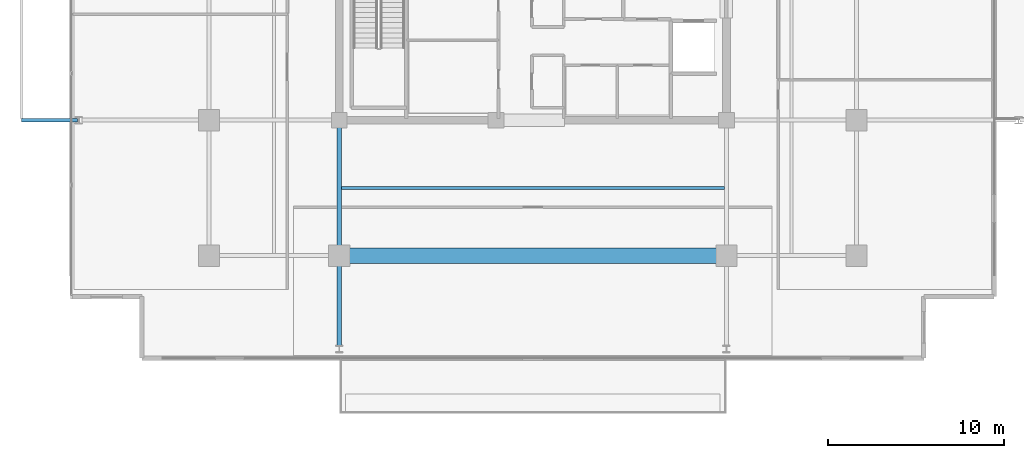
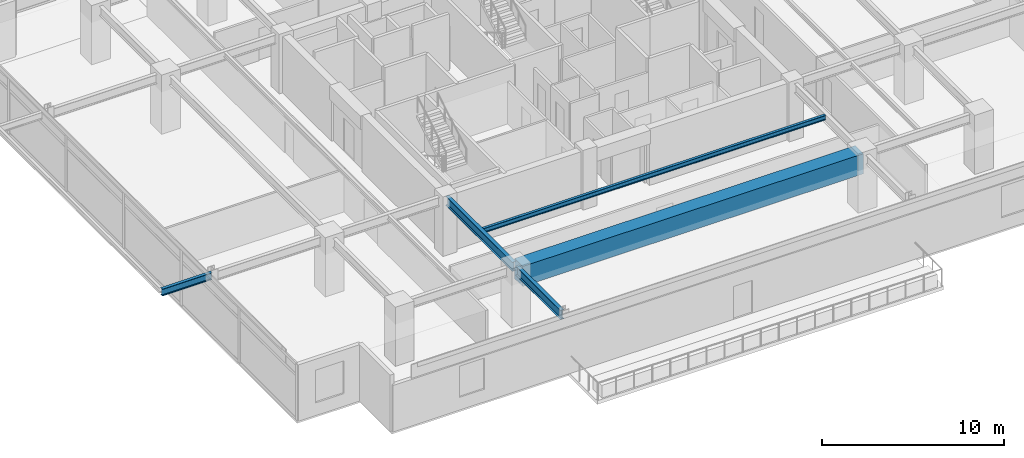
# One storey, part 3 of 23: 5 beams.
"""IFC4 building model written with IfcOpenShell, lengths in metres."""

from ifc_helpers import new_model, si_unit, direction, frame, origin, origin_2d, place, context, subcontext, project, spatial, rectangle, i_section, extrude, material, material_profile, profile_set, type_object, element, save


model = new_model("IFC4")

# Units and contexts
model_context = context("Model", 3, precision=1e-05, world=origin(), true_north=direction((0.0, 1.0)))
body_context = subcontext(model_context, "Body", "Model", "MODEL_VIEW")
ifc_project = project(units=[si_unit("LENGTHUNIT", "METRE"), si_unit("AREAUNIT", "SQUARE_METRE"), si_unit("VOLUMEUNIT", "CUBIC_METRE"), si_unit("PLANEANGLEUNIT", "RADIAN"), si_unit("MASSUNIT", "GRAM", prefix="KILO")], contexts=[model_context])

# Site, building, storey
site_placement = place(None, origin())
site = spatial("IfcSite", under=ifc_project, at=site_placement, CompositionType="ELEMENT")
building_placement = place(site_placement, origin())
building = spatial("IfcBuilding", under=site, at=building_placement, Name="Kovane Verandah Tower", CompositionType="ELEMENT")
storey_placement = place(building_placement, frame((0.0, 0.0, 267.199951171875)))
storey = spatial("IfcBuildingStorey", under=building, at=storey_placement, Name="L62", CompositionType="ELEMENT", Elevation=267.199951171875)

# Beams
ifc_material_1 = material(Name="Concrete C80/95", Category="concrete")
ifc_material_profile_1 = material_profile(ifc_material_1, rectangle(XDim=0.89990234375, YDim=1.35009765625, at=origin_2d()), Name="RCB900x1350")
ifc_profile_set_1 = profile_set([ifc_material_profile_1], Name="Concrete C80/95")
beam_type_1 = type_object("IfcBeamType", Name="BM-TR-900x1350", PredefinedType="BEAM", material=ifc_profile_set_1)
beam_1_placement = place(storey_placement, frame((29.179931640625, 10.800048828125, 3.110107421875), z_axis=(1.0, 0.0, 0.0), x_axis=(0.0, 1.0, 0.0)))
element("IfcBeam", 1, at=beam_1_placement, inside=storey, type_object=beam_type_1, Name="L62 Primary Tower Girder G-RS2", PredefinedType="BEAM", context=body_context, shape_type="SweptSolid", body=[
    extrude(rectangle(XDim=0.89990234375, YDim=1.35009765625, at=origin_2d()), origin(), (0.0, 0.0, 1.0), 21.64013671875),
])
ifc_material_2 = material(Name="Steel S355", Category="steel")
ifc_material_profile_2 = material_profile(ifc_material_2, i_section(OverallWidth=0.230224609375, OverallDepth=0.6171875, WebThickness=0.01318359375, FlangeThickness=0.022216796875, FilletRadius=0.0126953125, at=origin_2d()), Name="UB610x229x140")
ifc_profile_set_2 = profile_set([ifc_material_profile_2], Name="Steel S355")
beam_type_2 = type_object("IfcBeamType", Name="BM-UB610x140", PredefinedType="BEAM", material=ifc_profile_set_2)
beam_2_placement = place(storey_placement, frame((29.0, 18.320068359375, 3.4765625), z_axis=(0.0, -1.0, 0.0), x_axis=(1.0, 0.0, 0.0)))
element("IfcBeam", 2, at=beam_2_placement, inside=storey, type_object=beam_type_2, Name="L62 Primary Tower Girder G-S1", PredefinedType="BEAM", context=body_context, shape_type="SweptSolid", body=[
    extrude(i_section(OverallWidth=0.230224609375, OverallDepth=0.6171875, WebThickness=0.01318359375, FlangeThickness=0.022216796875, FilletRadius=0.0126953125, at=origin_2d()), origin(), (0.0, 0.0, 1.0), 7.340087890625),
])
beam_3_placement = place(storey_placement, frame((29.0, 10.6201171875, 3.451416015625), z_axis=(0.0, -1.0, 0.0), x_axis=(1.0, 0.0, 0.0)))
element("IfcBeam", 3, at=beam_3_placement, inside=storey, type_object=beam_type_2, Name="L62 Primary Tower Girder G-VS1", PredefinedType="BEAM", context=body_context, shape_type="SweptSolid", body=[
    extrude(i_section(OverallWidth=0.230224609375, OverallDepth=0.6171875, WebThickness=0.01318359375, FlangeThickness=0.022216796875, FilletRadius=0.0126953125, at=origin_2d()), origin(), (0.0, 0.0, 1.0), 4.940185546875),
])
ifc_material_profile_3 = material_profile(ifc_material_2, i_section(OverallWidth=0.1669921875, OverallDepth=0.310302734375, WebThickness=0.0078125, FlangeThickness=0.013671875, FilletRadius=0.0087890625, at=origin_2d()), Name="UB305x165x54")
ifc_profile_set_3 = profile_set([ifc_material_profile_3], Name="Steel S355")
beam_type_3 = type_object("IfcBeamType", Name="JST-UB305x54", PredefinedType="JOIST", material=ifc_profile_set_3)
beam_4_placement = place(storey_placement, frame((29.113037109375, 14.64990234375, 3.6298828125), z_axis=(1.0, 0.0, 0.0), x_axis=(0.0, 1.0, 0.0)))
element("IfcBeam", 4, at=beam_4_placement, inside=storey, type_object=beam_type_3, Name="L62 Secondary Composite Joist J-S1", PredefinedType="JOIST", context=body_context, shape_type="SweptSolid", body=[
    extrude(i_section(OverallWidth=0.1669921875, OverallDepth=0.310302734375, WebThickness=0.0078125, FlangeThickness=0.013671875, FilletRadius=0.0087890625, at=origin_2d()), origin(), (0.0, 0.0, 1.0), 21.77392578125),
])
ifc_material_profile_4 = material_profile(ifc_material_2, i_section(OverallWidth=0.19287109375, OverallDepth=0.46728515625, WebThickness=0.011474609375, FlangeThickness=0.01953125, FilletRadius=0.01025390625, at=origin_2d()), Name="UB457x191x98")
ifc_profile_set_4 = profile_set([ifc_material_profile_4], Name="Steel S355")
beam_type_4 = type_object("IfcBeamType", Name="JST-UB457x98", PredefinedType="JOIST", material=ifc_profile_set_4)
beam_5_placement = place(storey_placement, frame((14.1201171875, 18.5, 3.5263671875), z_axis=(-1.0, 0.0, 0.0), x_axis=(0.0, -1.0, 0.0)))
element("IfcBeam", 5, at=beam_5_placement, inside=storey, type_object=beam_type_4, Name="L62 West Planter Girder 1", PredefinedType="JOIST", context=body_context, shape_type="SweptSolid", body=[
    extrude(i_section(OverallWidth=0.19287109375, OverallDepth=0.46728515625, WebThickness=0.011474609375, FlangeThickness=0.01953125, FilletRadius=0.01025390625, at=origin_2d()), origin(), (0.0, 0.0, 1.0), 3.17724609375),
])

save(model, "model.ifc")
